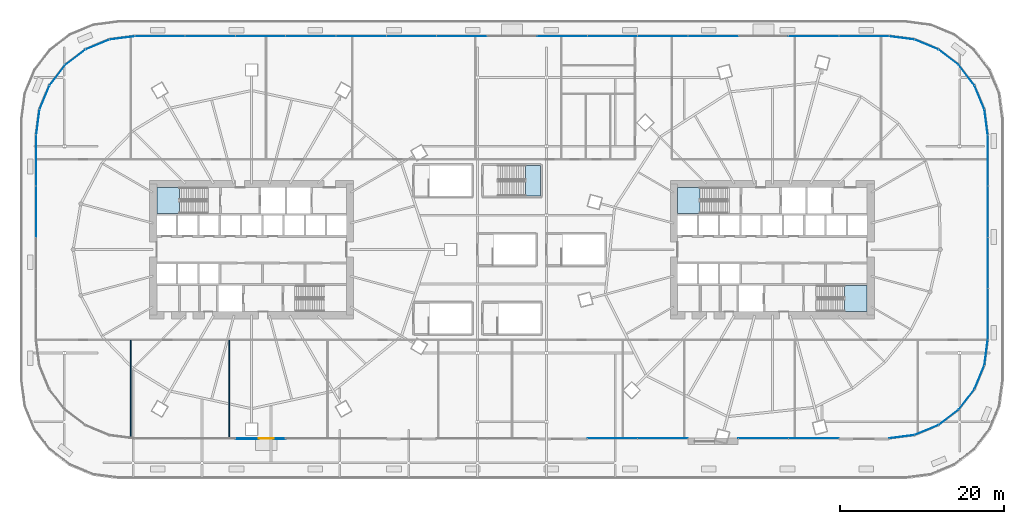
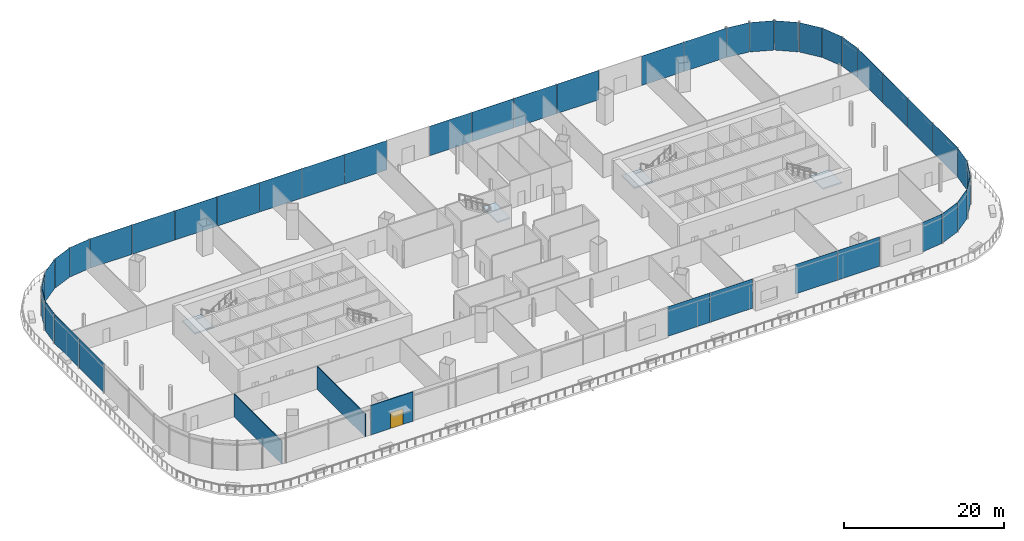
# One storey, part 30 of 49: 41 plates, 4 slabs, 3 walls, 1 door, 1 opening, 5 elements without a shape of their own.
"""IFC4 building model written with IfcOpenShell, lengths in metres."""

from ifc_helpers import new_model, si_unit, direction, frame, frame_2d, origin, origin_2d, place, context, subcontext, project, spatial, polyline, rectangle, outline, extrude, material, layer, layer_set, type_object, element, fill, aggregate, save


model = new_model("IFC4")

# Units and contexts
model_context = context("Model", 3, precision=1e-05, world=origin(), true_north=direction((0.0, 1.0)))
body_context = subcontext(model_context, "Body", "Model", "MODEL_VIEW")
ifc_project = project(units=[si_unit("LENGTHUNIT", "METRE"), si_unit("AREAUNIT", "SQUARE_METRE"), si_unit("VOLUMEUNIT", "CUBIC_METRE"), si_unit("PLANEANGLEUNIT", "RADIAN"), si_unit("MASSUNIT", "GRAM", prefix="KILO")], contexts=[model_context])

# Site, building, storey
site_placement = place(None, origin())
site = spatial("IfcSite", under=ifc_project, at=site_placement, CompositionType="ELEMENT")
building_placement = place(site_placement, origin())
building = spatial("IfcBuilding", under=site, at=building_placement, Name="Rimbun Link Towers", CompositionType="ELEMENT")
storey_placement = place(building_placement, frame((0.0, 0.0, 25.5)))
storey = spatial("IfcBuildingStorey", under=building, at=storey_placement, Name="L05", CompositionType="ELEMENT", Elevation=25.5)

# Curtain wall, plates
ifc_material_1 = material(Name="Aluminium 6063-T6 and low-iron glass", Category="aluminium")
curtain_wall_type = type_object("IfcCurtainWallType", Name="CW3 podium shopfront", PredefinedType="NOTDEFINED", material=ifc_material_1)
curtain_wall_placement = place(storey_placement, origin())
curtain_wall = element("IfcCurtainWall", 1, at=curtain_wall_placement, inside=storey, type_object=curtain_wall_type, Name="CW3 L05 PD", PredefinedType="NOTDEFINED")
ifc_material_2 = material(Name="Clear toughened low-iron glass", Category="glass")
ifc_layer_1 = layer(ifc_material_2, 0.02392578125)
ifc_layer_set_1 = layer_set([ifc_layer_1], Name="CW3 panel Clear toughened low-iron glass 24")
plate_type = type_object("IfcPlateType", Name="CW3 panel Clear toughened low-iron glass 24", PredefinedType="CURTAIN_PANEL", material=ifc_layer_set_1)
plate_1_placement = place(storey_placement, frame((47.554443359375, -22.807373046875, 0.0), z_axis=(0.0, 0.0, 1.0), x_axis=(-0.991444296525, -0.130530482602, 0.0)))
plate_1 = element("IfcPlate", 2, at=plate_1_placement, type_object=plate_type, Name="CW3 panel", PredefinedType="CURTAIN_PANEL", context=body_context, shape_type="SweptSolid", body=[
    extrude(rectangle(XDim=3.092529296875, YDim=0.02392578125, at=origin_2d()), origin(), (0.0, 0.0, 1.0), 4.5),
])
plate_2_placement = place(storey_placement, frame((50.557373046875, -22.002685546875, 0.0), z_axis=(0.0, 0.0, 1.0), x_axis=(-0.923881438965, -0.382678829747, 0.0)))
plate_2 = element("IfcPlate", 3, at=plate_2_placement, type_object=plate_type, Name="CW3 panel", PredefinedType="CURTAIN_PANEL", context=body_context, shape_type="SweptSolid", body=[
    extrude(rectangle(XDim=3.0927734375, YDim=0.02392578125, at=origin_2d()), origin(), (0.0, 0.0, 1.0), 4.5),
])
plate_3_placement = place(storey_placement, frame((53.25, -20.4482421875, 0.0), z_axis=(0.0, 0.0, 1.0), x_axis=(-0.793359162281, -0.608753841569, 0.0)))
plate_3 = element("IfcPlate", 4, at=plate_3_placement, type_object=plate_type, Name="CW3 panel", PredefinedType="CURTAIN_PANEL", context=body_context, shape_type="SweptSolid", body=[
    extrude(rectangle(XDim=3.092529296875, YDim=0.02392578125, at=origin_2d()), origin(), (0.0, 0.0, 1.0), 4.5),
])
plate_4_placement = place(storey_placement, frame((55.4482421875, -18.25, 0.0), z_axis=(0.0, 0.0, 1.0), x_axis=(-0.608753841569, -0.793359162281, 0.0)))
plate_4 = element("IfcPlate", 5, at=plate_4_placement, type_object=plate_type, Name="CW3 panel", PredefinedType="CURTAIN_PANEL", context=body_context, shape_type="SweptSolid", body=[
    extrude(rectangle(XDim=3.092529296875, YDim=0.02392578125, at=origin_2d()), origin(), (0.0, 0.0, 1.0), 4.5),
])
plate_5_placement = place(storey_placement, frame((57.002685546875, -15.557373046875, 0.0), z_axis=(0.0, 0.0, 1.0), x_axis=(-0.382678829747, -0.923881438965, 0.0)))
plate_5 = element("IfcPlate", 6, at=plate_5_placement, type_object=plate_type, Name="CW3 panel", PredefinedType="CURTAIN_PANEL", context=body_context, shape_type="SweptSolid", body=[
    extrude(rectangle(XDim=3.0927734375, YDim=0.02392578125, at=origin_2d()), origin(), (0.0, 0.0, 1.0), 4.5),
])
plate_6_placement = place(storey_placement, frame((57.807373046875, -12.554443359375, 0.0), z_axis=(0.0, 0.0, 1.0), x_axis=(-0.130530482602, -0.991444296525, 0.0)))
plate_6 = element("IfcPlate", 7, at=plate_6_placement, type_object=plate_type, Name="CW3 panel", PredefinedType="CURTAIN_PANEL", context=body_context, shape_type="SweptSolid", body=[
    extrude(rectangle(XDim=3.092529296875, YDim=0.02392578125, at=origin_2d()), origin(), (0.0, 0.0, 1.0), 4.5),
])
plate_7_placement = place(storey_placement, frame((58.011962890625, -7.875, 0.0), z_axis=(0.0, 0.0, 1.0), x_axis=(0.0, -1.0, 0.0)))
plate_7 = element("IfcPlate", 8, at=plate_7_placement, type_object=plate_type, Name="CW3 panel", PredefinedType="CURTAIN_PANEL", context=body_context, shape_type="SweptSolid", body=[
    extrude(rectangle(XDim=6.2099609375, YDim=0.02392578125, at=origin_2d()), origin(), (0.0, 0.0, 1.0), 4.5),
])
plate_8_placement = place(storey_placement, frame((58.011962890625, -1.625, 0.0), z_axis=(0.0, 0.0, 1.0), x_axis=(0.0, -1.0, 0.0)))
plate_8 = element("IfcPlate", 9, at=plate_8_placement, type_object=plate_type, Name="CW3 panel", PredefinedType="CURTAIN_PANEL", context=body_context, shape_type="SweptSolid", body=[
    extrude(rectangle(XDim=6.2099609375, YDim=0.02392578125, at=origin_2d()), origin(), (0.0, 0.0, 1.0), 4.5),
])
plate_9_placement = place(storey_placement, frame((58.011962890625, 4.625, 0.0), z_axis=(0.0, 0.0, 1.0), x_axis=(0.0, -1.0, 0.0)))
plate_9 = element("IfcPlate", 10, at=plate_9_placement, type_object=plate_type, Name="CW3 panel", PredefinedType="CURTAIN_PANEL", context=body_context, shape_type="SweptSolid", body=[
    extrude(rectangle(XDim=6.2099609375, YDim=0.02392578125, at=origin_2d()), origin(), (0.0, 0.0, 1.0), 4.5),
])
plate_10_placement = place(storey_placement, frame((58.011962890625, 10.875, 0.0), z_axis=(0.0, 0.0, 1.0), x_axis=(0.0, -1.0, 0.0)))
plate_10 = element("IfcPlate", 11, at=plate_10_placement, type_object=plate_type, Name="CW3 panel", PredefinedType="CURTAIN_PANEL", context=body_context, shape_type="SweptSolid", body=[
    extrude(rectangle(XDim=6.2099609375, YDim=0.02392578125, at=origin_2d()), origin(), (0.0, 0.0, 1.0), 4.5),
])
plate_11_placement = place(storey_placement, frame((57.807373046875, 15.554443359375, 0.0), z_axis=(0.0, 0.0, 1.0), x_axis=(0.130530482602, -0.991444296525, 0.0)))
plate_11 = element("IfcPlate", 12, at=plate_11_placement, type_object=plate_type, Name="CW3 panel", PredefinedType="CURTAIN_PANEL", context=body_context, shape_type="SweptSolid", body=[
    extrude(rectangle(XDim=3.092529296875, YDim=0.02392578125, at=origin_2d()), origin(), (0.0, 0.0, 1.0), 4.5),
])
plate_12_placement = place(storey_placement, frame((57.002685546875, 18.557373046875, 0.0), z_axis=(0.0, 0.0, 1.0), x_axis=(0.382678829747, -0.923881438965, 0.0)))
plate_12 = element("IfcPlate", 13, at=plate_12_placement, type_object=plate_type, Name="CW3 panel", PredefinedType="CURTAIN_PANEL", context=body_context, shape_type="SweptSolid", body=[
    extrude(rectangle(XDim=3.0927734375, YDim=0.02392578125, at=origin_2d()), origin(), (0.0, 0.0, 1.0), 4.5),
])
plate_13_placement = place(storey_placement, frame((55.4482421875, 21.25, 0.0), z_axis=(0.0, 0.0, 1.0), x_axis=(0.608753841569, -0.793359162281, 0.0)))
plate_13 = element("IfcPlate", 14, at=plate_13_placement, type_object=plate_type, Name="CW3 panel", PredefinedType="CURTAIN_PANEL", context=body_context, shape_type="SweptSolid", body=[
    extrude(rectangle(XDim=3.092529296875, YDim=0.02392578125, at=origin_2d()), origin(), (0.0, 0.0, 1.0), 4.5),
])
plate_14_placement = place(storey_placement, frame((53.25, 23.4482421875, 0.0), z_axis=(0.0, 0.0, 1.0), x_axis=(0.793359162281, -0.608753841569, 0.0)))
plate_14 = element("IfcPlate", 15, at=plate_14_placement, type_object=plate_type, Name="CW3 panel", PredefinedType="CURTAIN_PANEL", context=body_context, shape_type="SweptSolid", body=[
    extrude(rectangle(XDim=3.092529296875, YDim=0.02392578125, at=origin_2d()), origin(), (0.0, 0.0, 1.0), 4.5),
])
plate_15_placement = place(storey_placement, frame((50.557373046875, 25.002685546875, 0.0), z_axis=(0.0, 0.0, 1.0), x_axis=(0.923881438965, -0.382678829747, 0.0)))
plate_15 = element("IfcPlate", 16, at=plate_15_placement, type_object=plate_type, Name="CW3 panel", PredefinedType="CURTAIN_PANEL", context=body_context, shape_type="SweptSolid", body=[
    extrude(rectangle(XDim=3.0927734375, YDim=0.02392578125, at=origin_2d()), origin(), (0.0, 0.0, 1.0), 4.5),
])
plate_16_placement = place(storey_placement, frame((47.554443359375, 25.807373046875, 0.0), z_axis=(0.0, 0.0, 1.0), x_axis=(0.991444296525, -0.130530482602, 0.0)))
plate_16 = element("IfcPlate", 17, at=plate_16_placement, type_object=plate_type, Name="CW3 panel", PredefinedType="CURTAIN_PANEL", context=body_context, shape_type="SweptSolid", body=[
    extrude(rectangle(XDim=3.092529296875, YDim=0.02392578125, at=origin_2d()), origin(), (0.0, 0.0, 1.0), 4.5),
])
plate_17_placement = place(storey_placement, frame((42.933349609375, 26.011962890625, 0.0), z_axis=(0.0, 0.0, 1.0), x_axis=(1.0, 0.0, 0.0)))
plate_17 = element("IfcPlate", 18, at=plate_17_placement, type_object=plate_type, Name="CW3 panel", PredefinedType="CURTAIN_PANEL", context=body_context, shape_type="SweptSolid", body=[
    extrude(rectangle(XDim=6.09326171875, YDim=0.02392578125, at=origin_2d()), origin(), (0.0, 0.0, 1.0), 4.5),
])
plate_18_placement = place(storey_placement, frame((36.800048828125, 26.011962890625, 0.0), z_axis=(0.0, 0.0, 1.0), x_axis=(1.0, 0.0, 0.0)))
plate_18 = element("IfcPlate", 19, at=plate_18_placement, type_object=plate_type, Name="CW3 panel", PredefinedType="CURTAIN_PANEL", context=body_context, shape_type="SweptSolid", body=[
    extrude(rectangle(XDim=6.09326171875, YDim=0.02392578125, at=origin_2d()), origin(), (0.0, 0.0, 1.0), 4.5),
])
plate_19_placement = place(storey_placement, frame((24.533447265625, 26.011962890625, 0.0), z_axis=(0.0, 0.0, 1.0), x_axis=(1.0, 0.0, 0.0)))
plate_19 = element("IfcPlate", 20, at=plate_19_placement, type_object=plate_type, Name="CW3 panel", PredefinedType="CURTAIN_PANEL", context=body_context, shape_type="SweptSolid", body=[
    extrude(rectangle(XDim=6.09326171875, YDim=0.02392578125, at=origin_2d()), origin(), (0.0, 0.0, 1.0), 4.5),
])
plate_20_placement = place(storey_placement, frame((18.39990234375, 26.011962890625, 0.0), z_axis=(0.0, 0.0, 1.0), x_axis=(1.0, 0.0, 0.0)))
plate_20 = element("IfcPlate", 21, at=plate_20_placement, type_object=plate_type, Name="CW3 panel", PredefinedType="CURTAIN_PANEL", context=body_context, shape_type="SweptSolid", body=[
    extrude(rectangle(XDim=6.09326171875, YDim=0.02392578125, at=origin_2d()), origin(), (0.0, 0.0, 1.0), 4.5),
])
plate_21_placement = place(storey_placement, frame((12.2666015625, 26.011962890625, 0.0), z_axis=(0.0, 0.0, 1.0), x_axis=(1.0, 0.0, 0.0)))
plate_21 = element("IfcPlate", 22, at=plate_21_placement, type_object=plate_type, Name="CW3 panel", PredefinedType="CURTAIN_PANEL", context=body_context, shape_type="SweptSolid", body=[
    extrude(rectangle(XDim=6.09326171875, YDim=0.02392578125, at=origin_2d()), origin(), (0.0, 0.0, 1.0), 4.5),
])
plate_22_placement = place(storey_placement, frame((6.13330078125, 26.011962890625, 0.0), z_axis=(0.0, 0.0, 1.0), x_axis=(1.0, 0.0, 0.0)))
plate_22 = element("IfcPlate", 23, at=plate_22_placement, type_object=plate_type, Name="CW3 panel", PredefinedType="CURTAIN_PANEL", context=body_context, shape_type="SweptSolid", body=[
    extrude(rectangle(XDim=6.09326171875, YDim=0.02392578125, at=origin_2d()), origin(), (0.0, 0.0, 1.0), 4.5),
])
plate_23_placement = place(storey_placement, frame((-6.13330078125, 26.011962890625, 0.0), z_axis=(0.0, 0.0, 1.0), x_axis=(1.0, 0.0, 0.0)))
plate_23 = element("IfcPlate", 24, at=plate_23_placement, type_object=plate_type, Name="CW3 panel", PredefinedType="CURTAIN_PANEL", context=body_context, shape_type="SweptSolid", body=[
    extrude(rectangle(XDim=6.09326171875, YDim=0.02392578125, at=origin_2d()), origin(), (0.0, 0.0, 1.0), 4.5),
])
plate_24_placement = place(storey_placement, frame((-12.2666015625, 26.011962890625, 0.0), z_axis=(0.0, 0.0, 1.0), x_axis=(1.0, 0.0, 0.0)))
plate_24 = element("IfcPlate", 25, at=plate_24_placement, type_object=plate_type, Name="CW3 panel", PredefinedType="CURTAIN_PANEL", context=body_context, shape_type="SweptSolid", body=[
    extrude(rectangle(XDim=6.09326171875, YDim=0.02392578125, at=origin_2d()), origin(), (0.0, 0.0, 1.0), 4.5),
])
plate_25_placement = place(storey_placement, frame((-18.39990234375, 26.011962890625, 0.0), z_axis=(0.0, 0.0, 1.0), x_axis=(1.0, 0.0, 0.0)))
plate_25 = element("IfcPlate", 26, at=plate_25_placement, type_object=plate_type, Name="CW3 panel", PredefinedType="CURTAIN_PANEL", context=body_context, shape_type="SweptSolid", body=[
    extrude(rectangle(XDim=6.09326171875, YDim=0.02392578125, at=origin_2d()), origin(), (0.0, 0.0, 1.0), 4.5),
])
plate_26_placement = place(storey_placement, frame((-24.533447265625, 26.011962890625, 0.0), z_axis=(0.0, 0.0, 1.0), x_axis=(1.0, 0.0, 0.0)))
plate_26 = element("IfcPlate", 27, at=plate_26_placement, type_object=plate_type, Name="CW3 panel", PredefinedType="CURTAIN_PANEL", context=body_context, shape_type="SweptSolid", body=[
    extrude(rectangle(XDim=6.09326171875, YDim=0.02392578125, at=origin_2d()), origin(), (0.0, 0.0, 1.0), 4.5),
])
plate_27_placement = place(storey_placement, frame((-30.666748046875, 26.011962890625, 0.0), z_axis=(0.0, 0.0, 1.0), x_axis=(1.0, 0.0, 0.0)))
plate_27 = element("IfcPlate", 28, at=plate_27_placement, type_object=plate_type, Name="CW3 panel", PredefinedType="CURTAIN_PANEL", context=body_context, shape_type="SweptSolid", body=[
    extrude(rectangle(XDim=6.09326171875, YDim=0.02392578125, at=origin_2d()), origin(), (0.0, 0.0, 1.0), 4.5),
])
plate_28_placement = place(storey_placement, frame((-36.800048828125, 26.011962890625, 0.0), z_axis=(0.0, 0.0, 1.0), x_axis=(1.0, 0.0, 0.0)))
plate_28 = element("IfcPlate", 29, at=plate_28_placement, type_object=plate_type, Name="CW3 panel", PredefinedType="CURTAIN_PANEL", context=body_context, shape_type="SweptSolid", body=[
    extrude(rectangle(XDim=6.09326171875, YDim=0.02392578125, at=origin_2d()), origin(), (0.0, 0.0, 1.0), 4.5),
])
plate_29_placement = place(storey_placement, frame((-42.933349609375, 26.011962890625, 0.0), z_axis=(0.0, 0.0, 1.0), x_axis=(1.0, 0.0, 0.0)))
plate_29 = element("IfcPlate", 30, at=plate_29_placement, type_object=plate_type, Name="CW3 panel", PredefinedType="CURTAIN_PANEL", context=body_context, shape_type="SweptSolid", body=[
    extrude(rectangle(XDim=6.09326171875, YDim=0.02392578125, at=origin_2d()), origin(), (0.0, 0.0, 1.0), 4.5),
])
plate_30_placement = place(storey_placement, frame((-47.554443359375, 25.807373046875, 0.0), z_axis=(0.0, 0.0, 1.0), x_axis=(0.991444296525, 0.130530482602, 0.0)))
plate_30 = element("IfcPlate", 31, at=plate_30_placement, type_object=plate_type, Name="CW3 panel", PredefinedType="CURTAIN_PANEL", context=body_context, shape_type="SweptSolid", body=[
    extrude(rectangle(XDim=3.092529296875, YDim=0.02392578125, at=origin_2d()), origin(), (0.0, 0.0, 1.0), 4.5),
])
plate_31_placement = place(storey_placement, frame((-50.557373046875, 25.002685546875, 0.0), z_axis=(0.0, 0.0, 1.0), x_axis=(0.923881438965, 0.382678829747, 0.0)))
plate_31 = element("IfcPlate", 32, at=plate_31_placement, type_object=plate_type, Name="CW3 panel", PredefinedType="CURTAIN_PANEL", context=body_context, shape_type="SweptSolid", body=[
    extrude(rectangle(XDim=3.0927734375, YDim=0.02392578125, at=origin_2d()), origin(), (0.0, 0.0, 1.0), 4.5),
])
plate_32_placement = place(storey_placement, frame((-53.25, 23.4482421875, 0.0), z_axis=(0.0, 0.0, 1.0), x_axis=(0.793359162281, 0.608753841569, 0.0)))
plate_32 = element("IfcPlate", 33, at=plate_32_placement, type_object=plate_type, Name="CW3 panel", PredefinedType="CURTAIN_PANEL", context=body_context, shape_type="SweptSolid", body=[
    extrude(rectangle(XDim=3.092529296875, YDim=0.02392578125, at=origin_2d()), origin(), (0.0, 0.0, 1.0), 4.5),
])
plate_33_placement = place(storey_placement, frame((-55.4482421875, 21.25, 0.0), z_axis=(0.0, 0.0, 1.0), x_axis=(0.608753841569, 0.793359162281, 0.0)))
plate_33 = element("IfcPlate", 34, at=plate_33_placement, type_object=plate_type, Name="CW3 panel", PredefinedType="CURTAIN_PANEL", context=body_context, shape_type="SweptSolid", body=[
    extrude(rectangle(XDim=3.092529296875, YDim=0.02392578125, at=origin_2d()), origin(), (0.0, 0.0, 1.0), 4.5),
])
plate_34_placement = place(storey_placement, frame((-57.002685546875, 18.557373046875, 0.0), z_axis=(0.0, 0.0, 1.0), x_axis=(0.382678829747, 0.923881438965, 0.0)))
plate_34 = element("IfcPlate", 35, at=plate_34_placement, type_object=plate_type, Name="CW3 panel", PredefinedType="CURTAIN_PANEL", context=body_context, shape_type="SweptSolid", body=[
    extrude(rectangle(XDim=3.0927734375, YDim=0.02392578125, at=origin_2d()), origin(), (0.0, 0.0, 1.0), 4.5),
])
plate_35_placement = place(storey_placement, frame((-57.807373046875, 15.554443359375, 0.0), z_axis=(0.0, 0.0, 1.0), x_axis=(0.130530482602, 0.991444296525, 0.0)))
plate_35 = element("IfcPlate", 36, at=plate_35_placement, type_object=plate_type, Name="CW3 panel", PredefinedType="CURTAIN_PANEL", context=body_context, shape_type="SweptSolid", body=[
    extrude(rectangle(XDim=3.092529296875, YDim=0.02392578125, at=origin_2d()), origin(), (0.0, 0.0, 1.0), 4.5),
])
plate_36_placement = place(storey_placement, frame((-58.011962890625, 10.875, 0.0), z_axis=(0.0, 0.0, 1.0), x_axis=(0.0, 1.0, 0.0)))
plate_36 = element("IfcPlate", 37, at=plate_36_placement, type_object=plate_type, Name="CW3 panel", PredefinedType="CURTAIN_PANEL", context=body_context, shape_type="SweptSolid", body=[
    extrude(rectangle(XDim=6.2099609375, YDim=0.02392578125, at=origin_2d()), origin(), (0.0, 0.0, 1.0), 4.5),
])
plate_37_placement = place(storey_placement, frame((-58.011962890625, 4.625, 0.0), z_axis=(0.0, 0.0, 1.0), x_axis=(0.0, 1.0, 0.0)))
plate_37 = element("IfcPlate", 38, at=plate_37_placement, type_object=plate_type, Name="CW3 panel", PredefinedType="CURTAIN_PANEL", context=body_context, shape_type="SweptSolid", body=[
    extrude(rectangle(XDim=6.2099609375, YDim=0.02392578125, at=origin_2d()), origin(), (0.0, 0.0, 1.0), 4.5),
])
plate_38_placement = place(storey_placement, frame((12.2666015625, -23.011962890625, 0.0), z_axis=(0.0, 0.0, 1.0), x_axis=(-1.0, 0.0, 0.0)))
plate_38 = element("IfcPlate", 39, at=plate_38_placement, type_object=plate_type, Name="CW3 panel", PredefinedType="CURTAIN_PANEL", context=body_context, shape_type="SweptSolid", body=[
    extrude(rectangle(XDim=6.09326171875, YDim=0.02392578125, at=origin_2d()), origin(), (0.0, 0.0, 1.0), 4.5),
])
plate_39_placement = place(storey_placement, frame((18.39990234375, -23.011962890625, 0.0), z_axis=(0.0, 0.0, 1.0), x_axis=(-1.0, 0.0, 0.0)))
plate_39 = element("IfcPlate", 40, at=plate_39_placement, type_object=plate_type, Name="CW3 panel", PredefinedType="CURTAIN_PANEL", context=body_context, shape_type="SweptSolid", body=[
    extrude(rectangle(XDim=6.09326171875, YDim=0.02392578125, at=origin_2d()), origin(), (0.0, 0.0, 1.0), 4.5),
])
plate_40_placement = place(storey_placement, frame((30.666748046875, -23.011962890625, 0.0), z_axis=(0.0, 0.0, 1.0), x_axis=(-1.0, 0.0, 0.0)))
plate_40 = element("IfcPlate", 41, at=plate_40_placement, type_object=plate_type, Name="CW3 panel", PredefinedType="CURTAIN_PANEL", context=body_context, shape_type="SweptSolid", body=[
    extrude(rectangle(XDim=6.09326171875, YDim=0.02392578125, at=origin_2d()), origin(), (0.0, 0.0, 1.0), 4.5),
])
plate_41_placement = place(storey_placement, frame((36.800048828125, -23.011962890625, 0.0), z_axis=(0.0, 0.0, 1.0), x_axis=(-1.0, 0.0, 0.0)))
plate_41 = element("IfcPlate", 42, at=plate_41_placement, type_object=plate_type, Name="CW3 panel", PredefinedType="CURTAIN_PANEL", context=body_context, shape_type="SweptSolid", body=[
    extrude(rectangle(XDim=6.09326171875, YDim=0.02392578125, at=origin_2d()), origin(), (0.0, 0.0, 1.0), 4.5),
])
aggregate(curtain_wall, [plate_1, plate_2, plate_3, plate_4, plate_5, plate_6, plate_7, plate_8, plate_9, plate_10, plate_11, plate_12, plate_13, plate_14, plate_15, plate_16, plate_17, plate_18, plate_19, plate_20, plate_21, plate_22, plate_23, plate_24, plate_25, plate_26, plate_27, plate_28, plate_29, plate_30, plate_31, plate_32, plate_33, plate_34, plate_35, plate_36, plate_37, plate_38, plate_39, plate_40, plate_41])

# Stair, slab
ifc_material_3 = material(Name="Concrete C40/50", Category="concrete")
stair_type_1 = type_object("IfcStairType", Name="Exit stair 4500 rise", PredefinedType="HALF_TURN_STAIR", material=ifc_material_3)
stair_1_placement = place(storey_placement, origin())
stair_1 = element("IfcStair", 43, at=stair_1_placement, inside=storey, type_object=stair_type_1, Name="L05 EXIT STAIR A", PredefinedType="HALF_TURN_STAIR")
ifc_material_4 = material(Name="Concrete C40/50", Category="concrete")
ifc_layer_2 = layer(ifc_material_4, 0.199951171875)
ifc_layer_set_2 = layer_set([ifc_layer_2], Name="Stair landing")
slab_type = type_object("IfcSlabType", Name="Stair landing", PredefinedType="LANDING", material=ifc_layer_set_2)
slab_1_placement = place(storey_placement, frame((0.0, 0.0, 2.050048828125)))
slab_1 = element("IfcSlab", 44, at=slab_1_placement, type_object=slab_type, Name="ST1 landing 1", PredefinedType="LANDING", context=body_context, shape_type="SweptSolid", body=[
    extrude(outline(polyline([(-40.56005859375, 7.550048828125), (-43.300048828125, 7.550048828125), (-43.300048828125, 4.39990234375), (-40.56005859375, 4.39990234375), (-40.56005859375, 7.550048828125)])), origin(), (0.0, 0.0, 1.0), 0.199951171875),
])
aggregate(stair_1, [slab_1])

stair_2_placement = place(storey_placement, origin())
stair_2 = element("IfcStair", 45, at=stair_2_placement, inside=storey, type_object=stair_type_1, Name="L05 EXIT STAIR A", PredefinedType="HALF_TURN_STAIR")
slab_2_placement = place(storey_placement, frame((0.0, 0.0, 2.050048828125)))
slab_2 = element("IfcSlab", 46, at=slab_2_placement, type_object=slab_type, Name="ST3 landing 1", PredefinedType="LANDING", context=body_context, shape_type="SweptSolid", body=[
    extrude(outline(polyline([(22.93994140625, 7.550048828125), (20.199951171875, 7.550048828125), (20.199951171875, 4.39990234375), (22.93994140625, 4.39990234375), (22.93994140625, 7.550048828125)])), origin(), (0.0, 0.0, 1.0), 0.199951171875),
])
aggregate(stair_2, [slab_2])

stair_3_placement = place(storey_placement, origin())
stair_3 = element("IfcStair", 47, at=stair_3_placement, inside=storey, type_object=stair_type_1, Name="L05 EXIT STAIR B", PredefinedType="HALF_TURN_STAIR")
slab_3_placement = place(storey_placement, frame((0.0, 0.0, 2.050048828125)))
slab_3 = element("IfcSlab", 48, at=slab_3_placement, type_object=slab_type, Name="ST4 landing 1", PredefinedType="LANDING", context=body_context, shape_type="SweptSolid", body=[
    extrude(outline(polyline([(40.56005859375, -7.550048828125), (43.300048828125, -7.550048828125), (43.300048828125, -4.39990234375), (40.56005859375, -4.39990234375), (40.56005859375, -7.550048828125)])), origin(), (0.0, 0.0, 1.0), 0.199951171875),
])
aggregate(stair_3, [slab_3])

ifc_material_5 = material(Name="Concrete C40/50", Category="concrete")
stair_type_2 = type_object("IfcStairType", Name="Podium exit stair 1800", PredefinedType="HALF_TURN_STAIR", material=ifc_material_5)
stair_4_placement = place(storey_placement, origin())
stair_4 = element("IfcStair", 49, at=stair_4_placement, inside=storey, type_object=stair_type_2, Name="L05 PODIUM EXIT STAIR", PredefinedType="HALF_TURN_STAIR")
slab_4_placement = place(storey_placement, frame((0.0, 0.0, 2.050048828125)))
slab_4 = element("IfcSlab", 50, at=slab_4_placement, type_object=slab_type, Name="PS4 landing 1", PredefinedType="LANDING", context=body_context, shape_type="SweptSolid", body=[
    extrude(outline(polyline([(1.659912109375, 6.52490234375), (3.5, 6.52490234375), (3.5, 10.27490234375), (1.659912109375, 10.27490234375), (1.659912109375, 6.52490234375)])), origin(), (0.0, 0.0, 1.0), 0.199951171875),
])
aggregate(stair_4, [slab_4])

# Wall, opening, door
ifc_material_6 = material(Name="Aluminium framed insulated infill panel", Category="aluminium")
ifc_layer_3 = layer(ifc_material_6, 0.10009765625)
ifc_layer_set_3 = layer_set([ifc_layer_3], Name="ED framed infill wall 100")
wall_type_1 = type_object("IfcWallType", Name="ED framed infill wall 100", PredefinedType="STANDARD", material=ifc_layer_set_3)
wall_1_placement = place(storey_placement, frame((-27.6201171875, -23.050048828125, 0.0), z_axis=(0.0, 0.0, 1.0), x_axis=(-1.0, 0.0, 0.0)))
wall_1 = element("IfcWall", 51, at=wall_1_placement, inside=storey, type_object=wall_type_1, Name="Framed door bay wall", PredefinedType="STANDARD", context=body_context, shape_type="SweptSolid", body=[
    extrude(rectangle(XDim=6.09326171875, YDim=0.10009765625, at=frame_2d((3.046630859375, 0.0))), origin(), (0.0, 0.0, 1.0), 4.5),
])
opening_placement = place(wall_1_placement, frame((1.44677734375, 0.0, 0.0)))
opening = element("IfcOpeningElement", 52, at=opening_placement, cuts=wall_1, Name="Opening ED46", PredefinedType="OPENING", context=body_context, shape_type="SweptSolid", body=[
    extrude(rectangle(XDim=1.800048828125, YDim=2.39990234375, at=frame_2d((0.89990234375, 1.199951171875))), frame((0.0, 0.06005859375, 0.0), z_axis=(0.0, -1.0, 0.0), x_axis=(1.0, 0.0, 0.0)), (0.0, 0.0, 1.0), 0.1201171875),
])
ifc_material_7 = material(Name="Aluminium framed glazed door, low-iron glass", Category="aluminium")
door_type = type_object("IfcDoorType", Name="ED terrace door double leaf 1800X2400", OperationType="DOUBLE_DOOR_SINGLE_SWING", PredefinedType="DOOR", material=ifc_material_7)
door_placement = place(opening_placement, origin())
door = element("IfcDoor", 53, at=door_placement, inside=storey, type_object=door_type, Name="Terrace door", OperationType="SINGLE_SWING_LEFT", OverallHeight=2.39990234375, OverallWidth=1.800048828125, PredefinedType="DOOR", context=body_context, shape_type="SweptSolid", body=[
    extrude(rectangle(XDim=1.800048828125, YDim=2.39990234375, at=frame_2d((0.89990234375, 1.199951171875))), frame((0.0, 0.02490234375, 0.0), z_axis=(0.0, -1.0, 0.0), x_axis=(1.0, 0.0, 0.0)), (0.0, 0.0, 1.0), 0.050048828125),
])
fill(opening, door)

# Walls
ifc_material_8 = material(Name="Gypsum board on steel studs", Category="steel")
ifc_layer_4 = layer(ifc_material_8, 0.125)
ifc_layer_set_4 = layer_set([ifc_layer_4], Name="Partition 125 board on studs")
wall_type_2 = type_object("IfcWallType", Name="Partition 125 board on studs", PredefinedType="PARTITIONING", material=ifc_layer_set_4)
wall_2_placement = place(storey_placement, frame((-46.5, -22.93408203125, 0.0), z_axis=(0.0, 0.0, 1.0), x_axis=(0.0, 1.0, 0.0)))
element("IfcWall", 54, at=wall_2_placement, inside=storey, type_object=wall_type_2, Name="PD/PW/L05/046", PredefinedType="PARTITIONING", context=body_context, shape_type="SweptSolid", body=[
    extrude(rectangle(XDim=11.87158203125, YDim=0.125, at=frame_2d((5.935791015625, 0.0))), origin(), (0.0, 0.0, 1.0), 3.49609375),
])
wall_3_placement = place(storey_placement, frame((-34.5, -23.080078125, 0.0), z_axis=(0.0, 0.0, 1.0), x_axis=(0.0, 1.0, 0.0)))
element("IfcWall", 55, at=wall_3_placement, inside=storey, type_object=wall_type_2, Name="PD/PW/L05/047", PredefinedType="PARTITIONING", context=body_context, shape_type="SweptSolid", body=[
    extrude(rectangle(XDim=12.017578125, YDim=0.125, at=frame_2d((6.0087890625, 0.0))), origin(), (0.0, 0.0, 1.0), 3.49609375),
])

save(model, "model.ifc")
